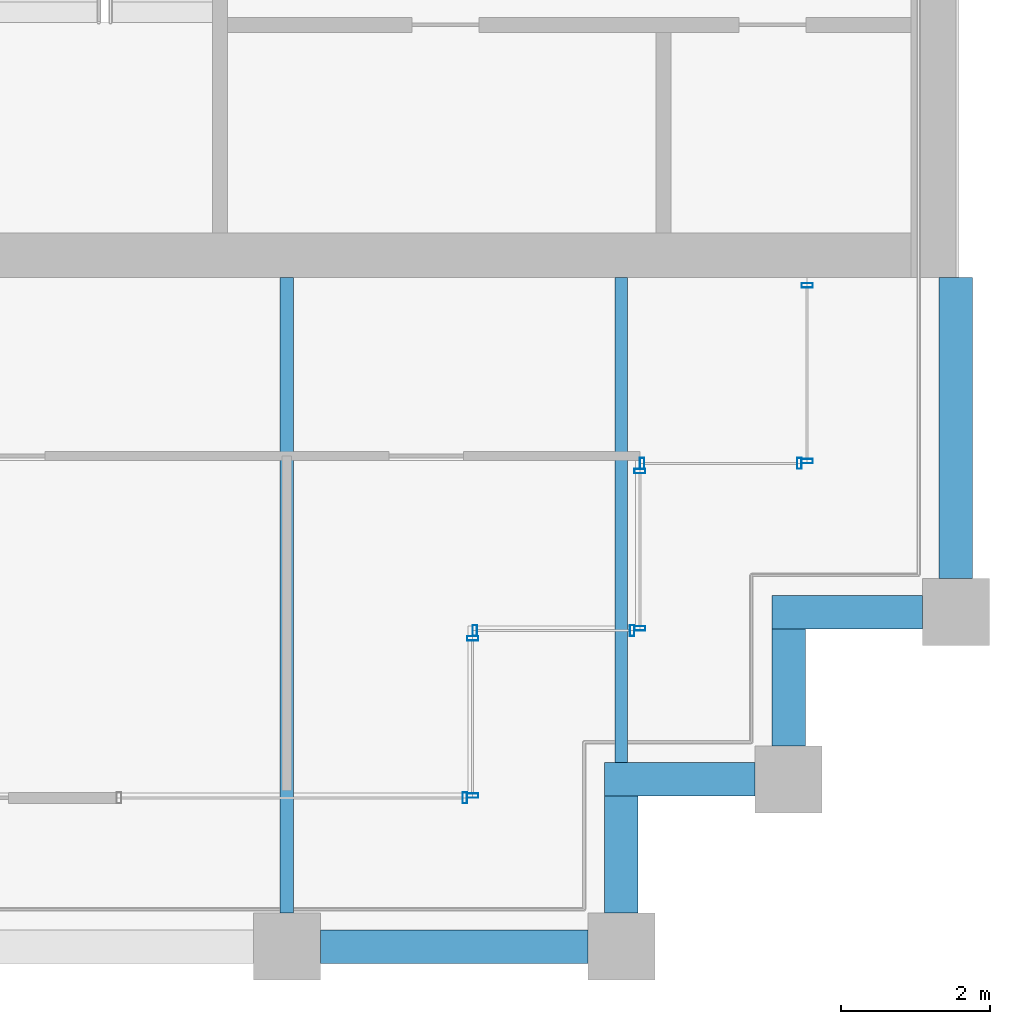
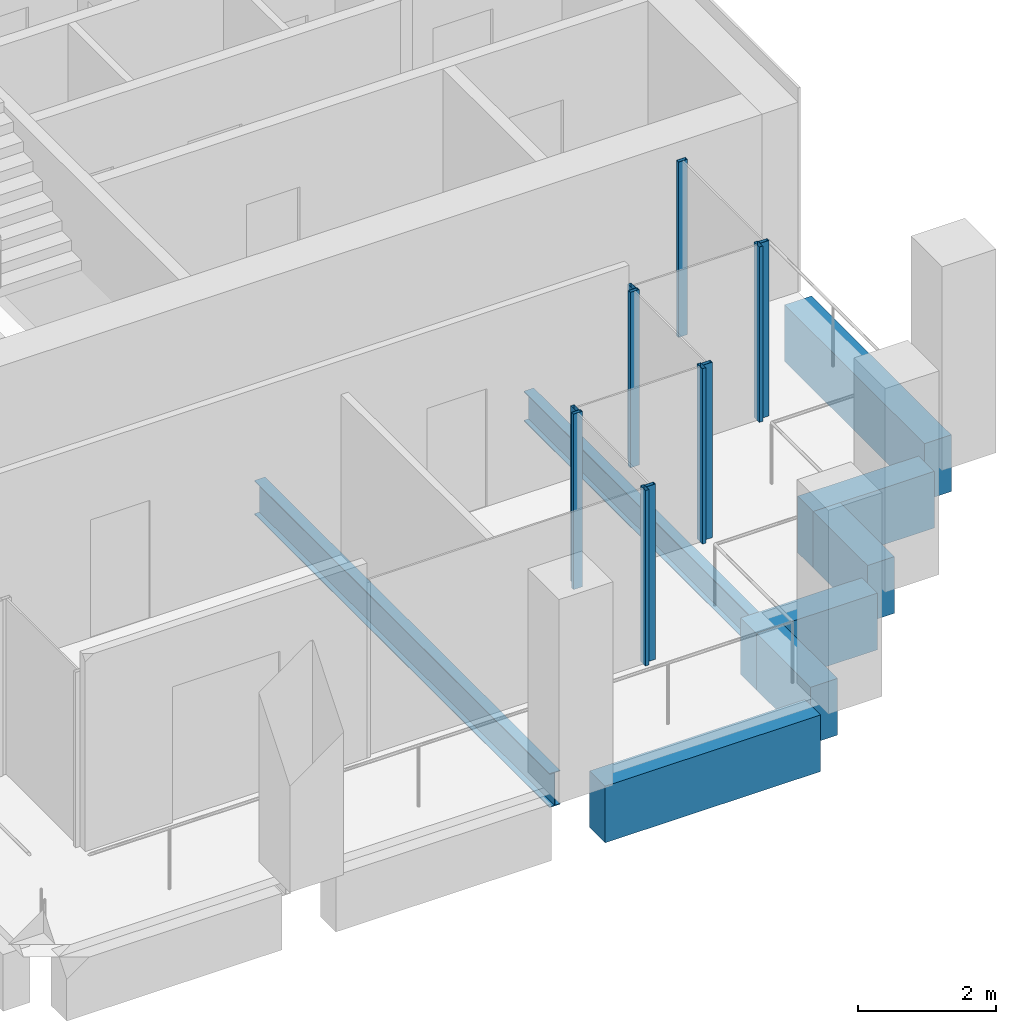
# One storey, part 31 of 40: 11 members, 8 beams, 6 elements without a shape of their own.
"""IFC4 building model written with IfcOpenShell, lengths in metres."""

from ifc_helpers import new_model, si_unit, direction, frame, origin, origin_2d, place, context, subcontext, project, spatial, rectangle, hollow_rectangle, i_section, extrude, material, material_profile, profile_set, type_object, element, aggregate, save


model = new_model("IFC4")

# Units and contexts
model_context = context("Model", 3, precision=1e-05, world=origin(), true_north=direction((0.0, 1.0)))
body_context = subcontext(model_context, "Body", "Model", "MODEL_VIEW")
ifc_project = project(units=[si_unit("LENGTHUNIT", "METRE"), si_unit("AREAUNIT", "SQUARE_METRE"), si_unit("VOLUMEUNIT", "CUBIC_METRE"), si_unit("PLANEANGLEUNIT", "RADIAN"), si_unit("MASSUNIT", "GRAM", prefix="KILO")], contexts=[model_context])

# Site, building, storey
site_placement = place(None, origin())
site = spatial("IfcSite", under=ifc_project, at=site_placement, CompositionType="ELEMENT")
building_placement = place(site_placement, origin())
building = spatial("IfcBuilding", under=site, at=building_placement, Name="Altepetl Exchange Towers", CompositionType="ELEMENT")
storey_placement = place(building_placement, frame((0.0, 0.0, 147.39990234375)))
storey = spatial("IfcBuildingStorey", under=building, at=storey_placement, Name="L36", CompositionType="ELEMENT", Elevation=147.39990234375)

# Beams
ifc_material_1 = material(Name="Steel S355", Category="steel")
ifc_material_profile_1 = material_profile(ifc_material_1, i_section(OverallWidth=0.166015625, OverallDepth=0.529052734375, WebThickness=0.009765625, FlangeThickness=0.013671875, at=origin_2d()), Name="W21X50")
ifc_profile_set_1 = profile_set([ifc_material_profile_1], Name="Steel S355")
beam_type_1 = type_object("IfcBeamType", Name="Floor beam W21X50", PredefinedType="BEAM", material=ifc_profile_set_1)
beam_1_placement = place(storey_placement, frame((112.5, 29.47509765625, -0.414306640625), z_axis=(0.0, 1.0, 0.0), x_axis=(-1.0, 0.0, 0.0)))
element("IfcBeam", 1, at=beam_1_placement, inside=storey, type_object=beam_type_1, Name="bm:B:L36:003", PredefinedType="BEAM", context=body_context, shape_type="SweptSolid", body=[
    extrude(i_section(OverallWidth=0.166015625, OverallDepth=0.529052734375, WebThickness=0.009765625, FlangeThickness=0.013671875, at=origin_2d()), origin(), (0.0, 0.0, 1.0), 6.52490234375),
])
ifc_material_profile_2 = material_profile(ifc_material_1, i_section(OverallWidth=0.177978515625, OverallDepth=0.59912109375, WebThickness=0.010009765625, FlangeThickness=0.0126953125, at=origin_2d()), Name="W24X55")
ifc_profile_set_2 = profile_set([ifc_material_profile_2], Name="Steel S355")
beam_type_2 = type_object("IfcBeamType", Name="Floor beam W24X55", PredefinedType="BEAM", material=ifc_profile_set_2)
beam_2_placement = place(storey_placement, frame((108.0, 27.449951171875, -0.449462890625), z_axis=(0.0, 1.0, 0.0), x_axis=(-1.0, 0.0, 0.0)))
element("IfcBeam", 2, at=beam_2_placement, inside=storey, type_object=beam_type_2, Name="bm:B:L36:002", PredefinedType="BEAM", context=body_context, shape_type="SweptSolid", body=[
    extrude(i_section(OverallWidth=0.177978515625, OverallDepth=0.59912109375, WebThickness=0.010009765625, FlangeThickness=0.0126953125, at=origin_2d()), origin(), (0.0, 0.0, 1.0), 8.550048828125),
])

# Curtain wall, member
ifc_material_2 = material(Name="Aluminium 6063-T6 glazing", Category="aluminium")
curtain_wall_type = type_object("IfcCurtainWallType", Name="Loggia glazing system", PredefinedType="NOTDEFINED", material=ifc_material_2)
curtain_wall_1_placement = place(storey_placement, origin())
curtain_wall_1 = element("IfcCurtainWall", 3, at=curtain_wall_1_placement, inside=storey, type_object=curtain_wall_type, Name="CW1 run", PredefinedType="NOTDEFINED")
ifc_material_3 = material(Name="Aluminium 6063-T6", Category="aluminium")
ifc_material_profile_3 = material_profile(ifc_material_3, hollow_rectangle(XDim=0.06005859375, YDim=0.14990234375, WallThickness=0.0029296875, at=origin_2d()), Name="Mullion 60x150 aluminium")
ifc_profile_set_3 = profile_set([ifc_material_profile_3], Name="Aluminium 6063-T6")
member_type = type_object("IfcMemberType", Name="Mullion 60x150 aluminium", PredefinedType="MULLION", material=ifc_profile_set_3)
member_1_placement = place(storey_placement, frame((110.39501953125, 29.0, 0.0)))
member_1 = element("IfcMember", 4, at=member_1_placement, type_object=member_type, Name="MU1 mullion", PredefinedType="MULLION", context=body_context, shape_type="SweptSolid", body=[
    extrude(hollow_rectangle(XDim=0.06005859375, YDim=0.14990234375, WallThickness=0.0029296875, at=origin_2d()), origin(), (0.0, 0.0, 1.0), 3.10009765625),
])
aggregate(curtain_wall_1, [member_1])

# Curtain wall, members
curtain_wall_2_placement = place(storey_placement, origin())
curtain_wall_2 = element("IfcCurtainWall", 5, at=curtain_wall_2_placement, inside=storey, type_object=curtain_wall_type, Name="CW1 run", PredefinedType="NOTDEFINED")
member_2_placement = place(storey_placement, frame((110.5, 29.030029296875, 0.0), z_axis=(0.0, 0.0, 1.0), x_axis=(0.0, 1.0, 0.0)))
member_2 = element("IfcMember", 6, at=member_2_placement, type_object=member_type, Name="MU1 mullion", PredefinedType="MULLION", context=body_context, shape_type="SweptSolid", body=[
    extrude(hollow_rectangle(XDim=0.06005859375, YDim=0.14990234375, WallThickness=0.0029296875, at=origin_2d()), origin(), (0.0, 0.0, 1.0), 3.10009765625),
])
member_3_placement = place(storey_placement, frame((110.5, 31.14501953125, 0.0), z_axis=(0.0, 0.0, 1.0), x_axis=(0.0, 1.0, 0.0)))
member_3 = element("IfcMember", 7, at=member_3_placement, type_object=member_type, Name="MU1 mullion", PredefinedType="MULLION", context=body_context, shape_type="SweptSolid", body=[
    extrude(hollow_rectangle(XDim=0.06005859375, YDim=0.14990234375, WallThickness=0.0029296875, at=origin_2d()), origin(), (0.0, 0.0, 1.0), 3.10009765625),
])
aggregate(curtain_wall_2, [member_2, member_3])

curtain_wall_3_placement = place(storey_placement, origin())
curtain_wall_3 = element("IfcCurtainWall", 8, at=curtain_wall_3_placement, inside=storey, type_object=curtain_wall_type, Name="CW1 run", PredefinedType="NOTDEFINED")
member_4_placement = place(storey_placement, frame((110.530029296875, 31.25, 0.0)))
member_4 = element("IfcMember", 9, at=member_4_placement, type_object=member_type, Name="MU1 mullion", PredefinedType="MULLION", context=body_context, shape_type="SweptSolid", body=[
    extrude(hollow_rectangle(XDim=0.06005859375, YDim=0.14990234375, WallThickness=0.0029296875, at=origin_2d()), origin(), (0.0, 0.0, 1.0), 3.10009765625),
])
member_5_placement = place(storey_placement, frame((112.64501953125, 31.25, 0.0)))
member_5 = element("IfcMember", 10, at=member_5_placement, type_object=member_type, Name="MU1 mullion", PredefinedType="MULLION", context=body_context, shape_type="SweptSolid", body=[
    extrude(hollow_rectangle(XDim=0.06005859375, YDim=0.14990234375, WallThickness=0.0029296875, at=origin_2d()), origin(), (0.0, 0.0, 1.0), 3.10009765625),
])
aggregate(curtain_wall_3, [member_4, member_5])

curtain_wall_4_placement = place(storey_placement, origin())
curtain_wall_4 = element("IfcCurtainWall", 11, at=curtain_wall_4_placement, inside=storey, type_object=curtain_wall_type, Name="CW1 run", PredefinedType="NOTDEFINED")
member_6_placement = place(storey_placement, frame((112.75, 31.280029296875, 0.0), z_axis=(0.0, 0.0, 1.0), x_axis=(0.0, 1.0, 0.0)))
member_6 = element("IfcMember", 12, at=member_6_placement, type_object=member_type, Name="MU1 mullion", PredefinedType="MULLION", context=body_context, shape_type="SweptSolid", body=[
    extrude(hollow_rectangle(XDim=0.06005859375, YDim=0.14990234375, WallThickness=0.0029296875, at=origin_2d()), origin(), (0.0, 0.0, 1.0), 3.10009765625),
])
member_7_placement = place(storey_placement, frame((112.75, 33.39501953125, 0.0), z_axis=(0.0, 0.0, 1.0), x_axis=(0.0, 1.0, 0.0)))
member_7 = element("IfcMember", 13, at=member_7_placement, type_object=member_type, Name="MU1 mullion", PredefinedType="MULLION", context=body_context, shape_type="SweptSolid", body=[
    extrude(hollow_rectangle(XDim=0.06005859375, YDim=0.14990234375, WallThickness=0.0029296875, at=origin_2d()), origin(), (0.0, 0.0, 1.0), 3.10009765625),
])
aggregate(curtain_wall_4, [member_6, member_7])

curtain_wall_5_placement = place(storey_placement, origin())
curtain_wall_5 = element("IfcCurtainWall", 14, at=curtain_wall_5_placement, inside=storey, type_object=curtain_wall_type, Name="CW1 run", PredefinedType="NOTDEFINED")
member_8_placement = place(storey_placement, frame((112.780029296875, 33.5, 0.0)))
member_8 = element("IfcMember", 15, at=member_8_placement, type_object=member_type, Name="MU1 mullion", PredefinedType="MULLION", context=body_context, shape_type="SweptSolid", body=[
    extrude(hollow_rectangle(XDim=0.06005859375, YDim=0.14990234375, WallThickness=0.0029296875, at=origin_2d()), origin(), (0.0, 0.0, 1.0), 3.10009765625),
])
member_9_placement = place(storey_placement, frame((114.89501953125, 33.5, 0.0)))
member_9 = element("IfcMember", 16, at=member_9_placement, type_object=member_type, Name="MU1 mullion", PredefinedType="MULLION", context=body_context, shape_type="SweptSolid", body=[
    extrude(hollow_rectangle(XDim=0.06005859375, YDim=0.14990234375, WallThickness=0.0029296875, at=origin_2d()), origin(), (0.0, 0.0, 1.0), 3.10009765625),
])
aggregate(curtain_wall_5, [member_8, member_9])

curtain_wall_6_placement = place(storey_placement, origin())
curtain_wall_6 = element("IfcCurtainWall", 17, at=curtain_wall_6_placement, inside=storey, type_object=curtain_wall_type, Name="CW1 run", PredefinedType="NOTDEFINED")
member_10_placement = place(storey_placement, frame((115.0, 33.530029296875, 0.0), z_axis=(0.0, 0.0, 1.0), x_axis=(0.0, 1.0, 0.0)))
member_10 = element("IfcMember", 18, at=member_10_placement, type_object=member_type, Name="MU1 mullion", PredefinedType="MULLION", context=body_context, shape_type="SweptSolid", body=[
    extrude(hollow_rectangle(XDim=0.06005859375, YDim=0.14990234375, WallThickness=0.0029296875, at=origin_2d()), origin(), (0.0, 0.0, 1.0), 3.10009765625),
])
member_11_placement = place(storey_placement, frame((115.0, 35.89501953125, 0.0), z_axis=(0.0, 0.0, 1.0), x_axis=(0.0, 1.0, 0.0)))
member_11 = element("IfcMember", 19, at=member_11_placement, type_object=member_type, Name="MU1 mullion", PredefinedType="MULLION", context=body_context, shape_type="SweptSolid", body=[
    extrude(hollow_rectangle(XDim=0.06005859375, YDim=0.14990234375, WallThickness=0.0029296875, at=origin_2d()), origin(), (0.0, 0.0, 1.0), 3.10009765625),
])
aggregate(curtain_wall_6, [member_10, member_11])

# Beams
ifc_material_4 = material(Name="Concrete C50/60 precast with cantera blanca facing", Category="concrete")
ifc_material_profile_4 = material_profile(ifc_material_4, rectangle(XDim=0.449951171875, YDim=1.0, at=origin_2d()), Name="450 x 1000")
ifc_profile_set_4 = profile_set([ifc_material_profile_4], Name="Concrete C50/60 precast with cantera blanca facing")
beam_type_3 = type_object("IfcBeamType", Name="Spandrel beam 450x1000 cantera blanca", PredefinedType="SPANDREL", material=ifc_profile_set_4)
beam_3_placement = place(storey_placement, frame((117.0, 31.949951171875, -0.64990234375), z_axis=(0.0, 1.0, 0.0), x_axis=(-1.0, 0.0, 0.0)))
element("IfcBeam", 20, at=beam_3_placement, inside=storey, type_object=beam_type_3, Name="sp:B:L36:007", PredefinedType="SPANDREL", context=body_context, shape_type="SweptSolid", body=[
    extrude(rectangle(XDim=0.449951171875, YDim=1.0, at=origin_2d()), origin(), (0.0, 0.0, 1.0), 4.050048828125),
])
ifc_material_5 = material(Name="Concrete C50/60 precast with tezontle facing", Category="concrete")
ifc_material_profile_5 = material_profile(ifc_material_5, rectangle(XDim=0.449951171875, YDim=1.0, at=origin_2d()), Name="450 x 1000")
ifc_profile_set_5 = profile_set([ifc_material_profile_5], Name="Concrete C50/60 precast with tezontle facing")
beam_type_4 = type_object("IfcBeamType", Name="Spandrel beam 450x1000 tezontle", PredefinedType="SPANDREL", material=ifc_profile_set_5)
beam_4_placement = place(storey_placement, frame((108.449951171875, 27.0, -0.64990234375), z_axis=(1.0, 0.0, 0.0), x_axis=(0.0, 1.0, 0.0)))
element("IfcBeam", 21, at=beam_4_placement, inside=storey, type_object=beam_type_4, Name="sp:B:L36:002", PredefinedType="SPANDREL", context=body_context, shape_type="SweptSolid", body=[
    extrude(rectangle(XDim=0.449951171875, YDim=1.0, at=origin_2d()), origin(), (0.0, 0.0, 1.0), 3.60009765625),
])
beam_5_placement = place(storey_placement, frame((112.5, 27.449951171875, -0.64990234375), z_axis=(0.0, 1.0, 0.0), x_axis=(-1.0, 0.0, 0.0)))
element("IfcBeam", 22, at=beam_5_placement, inside=storey, type_object=beam_type_4, Name="sp:B:L36:003", PredefinedType="SPANDREL", context=body_context, shape_type="SweptSolid", body=[
    extrude(rectangle(XDim=0.449951171875, YDim=1.0, at=origin_2d()), origin(), (0.0, 0.0, 1.0), 1.574951171875),
])
beam_6_placement = place(storey_placement, frame((112.27490234375, 29.25, -0.64990234375), z_axis=(1.0, 0.0, 0.0), x_axis=(0.0, 1.0, 0.0)))
element("IfcBeam", 23, at=beam_6_placement, inside=storey, type_object=beam_type_4, Name="sp:B:L36:004", PredefinedType="SPANDREL", context=body_context, shape_type="SweptSolid", body=[
    extrude(rectangle(XDim=0.449951171875, YDim=1.0, at=origin_2d()), origin(), (0.0, 0.0, 1.0), 2.025146484375),
])
beam_7_placement = place(storey_placement, frame((114.75, 29.699951171875, -0.64990234375), z_axis=(0.0, 1.0, 0.0), x_axis=(-1.0, 0.0, 0.0)))
element("IfcBeam", 24, at=beam_7_placement, inside=storey, type_object=beam_type_4, Name="sp:B:L36:005", PredefinedType="SPANDREL", context=body_context, shape_type="SweptSolid", body=[
    extrude(rectangle(XDim=0.449951171875, YDim=1.0, at=origin_2d()), origin(), (0.0, 0.0, 1.0), 1.574951171875),
])
beam_8_placement = place(storey_placement, frame((114.52490234375, 31.5, -0.64990234375), z_axis=(1.0, 0.0, 0.0), x_axis=(0.0, 1.0, 0.0)))
element("IfcBeam", 25, at=beam_8_placement, inside=storey, type_object=beam_type_4, Name="sp:B:L36:006", PredefinedType="SPANDREL", context=body_context, shape_type="SweptSolid", body=[
    extrude(rectangle(XDim=0.449951171875, YDim=1.0, at=origin_2d()), origin(), (0.0, 0.0, 1.0), 2.025146484375),
])

save(model, "model.ifc")
